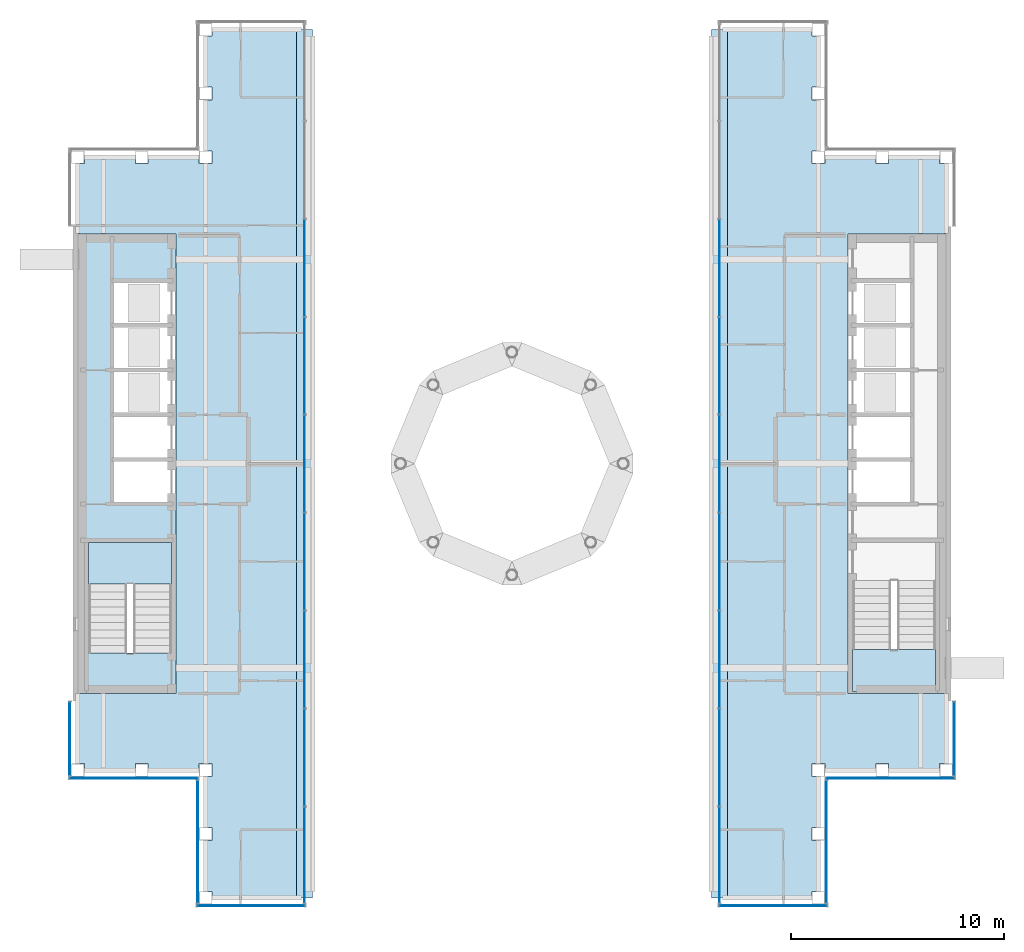
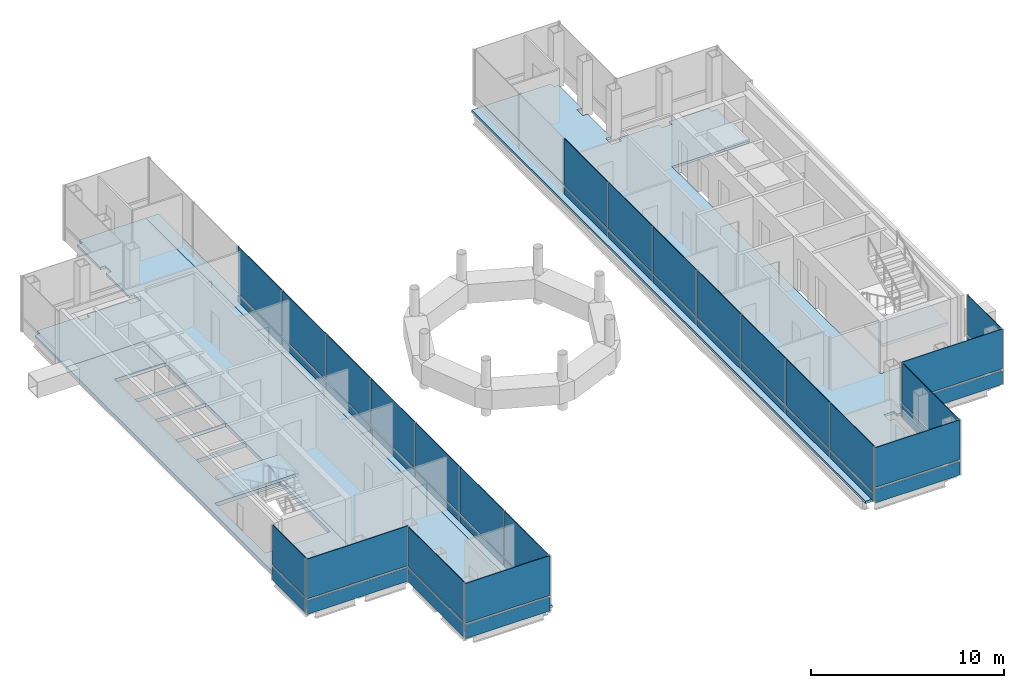
# One storey, part 15 of 21: 44 plates, 7 slabs, 12 elements without a shape of their own.
"""IFC4 building model written with IfcOpenShell, lengths in metres."""

from ifc_helpers import new_model, si_unit, direction, frame, origin, origin_2d, place, context, subcontext, project, spatial, polyline, rectangle, outline, extrude, material, layer, layer_set, type_object, element, aggregate, save


model = new_model("IFC4")

# Units and contexts
model_context = context("Model", 3, precision=1e-05, world=origin(), true_north=direction((0.0, 1.0)))
body_context = subcontext(model_context, "Body", "Model", "MODEL_VIEW")
ifc_project = project(units=[si_unit("LENGTHUNIT", "METRE"), si_unit("AREAUNIT", "SQUARE_METRE"), si_unit("VOLUMEUNIT", "CUBIC_METRE"), si_unit("PLANEANGLEUNIT", "RADIAN"), si_unit("MASSUNIT", "GRAM", prefix="KILO")], contexts=[model_context])

# Site, building, storey
site_placement = place(None, origin())
site = spatial("IfcSite", under=ifc_project, at=site_placement, CompositionType="ELEMENT")
building_placement = place(site_placement, origin())
building = spatial("IfcBuilding", under=site, at=building_placement, Name="Cobrizo Arcos Hotel Tower", CompositionType="ELEMENT")
storey_placement = place(building_placement, frame((0.0, 0.0, 279.5)))
storey = spatial("IfcBuildingStorey", under=building, at=storey_placement, Name="L74", CompositionType="ELEMENT", Elevation=279.5)

# Curtain wall, plate
ifc_material_1 = material(Name="Aluminium 6063-T6 anodised bronze", Category="aluminium")
curtain_wall_type_1 = type_object("IfcCurtainWallType", Name="CW-A guest facade", PredefinedType="NOTDEFINED", material=ifc_material_1)
curtain_wall_1_placement = place(storey_placement, origin())
curtain_wall_1 = element("IfcCurtainWall", 1, at=curtain_wall_1_placement, inside=storey, type_object=curtain_wall_type_1, Name="CW-A L74 S face", PredefinedType="NOTDEFINED")
ifc_material_2 = material(Name="Glass clear laminated low-e", Category="glass")
ifc_layer_1 = layer(ifc_material_2, 0.0400390625)
ifc_layer_set_1 = layer_set([ifc_layer_1], Name="CW-A glass panel")
plate_type_1 = type_object("IfcPlateType", Name="CW-A glass panel", PredefinedType="CURTAIN_PANEL", material=ifc_layer_set_1)
plate_1_placement = place(storey_placement, frame((12.263916015625, -20.77490234375, 0.990234375), z_axis=(0.0, 0.0, 1.0), x_axis=(1.0, 0.0, 0.0)))
plate_1 = element("IfcPlate", 2, at=plate_1_placement, type_object=plate_type_1, Name="CW-A glass panel 2334", PredefinedType="CURTAIN_PANEL", context=body_context, shape_type="SweptSolid", body=[
    extrude(rectangle(XDim=5.05224609375, YDim=0.0400390625, at=origin_2d()), origin(), (0.0, 0.0, 1.0), 2.510009765625),
])

curtain_wall_2_placement = place(storey_placement, origin())
curtain_wall_2 = element("IfcCurtainWall", 3, at=curtain_wall_2_placement, inside=storey, type_object=curtain_wall_type_1, Name="CW-A L74 E face", PredefinedType="NOTDEFINED")
plate_2_placement = place(storey_placement, frame((14.77490234375, -17.77490234375, 0.990234375), z_axis=(0.0, 0.0, 1.0), x_axis=(0.0, 1.0, 0.0)))
plate_2 = element("IfcPlate", 4, at=plate_2_placement, type_object=plate_type_1, Name="CW-A glass panel 2335", PredefinedType="CURTAIN_PANEL", context=body_context, shape_type="SweptSolid", body=[
    extrude(rectangle(XDim=5.72998046875, YDim=0.0400390625, at=origin_2d()), origin(), (0.0, 0.0, 1.0), 2.510009765625),
])

curtain_wall_3_placement = place(storey_placement, origin())
curtain_wall_3 = element("IfcCurtainWall", 5, at=curtain_wall_3_placement, inside=storey, type_object=curtain_wall_type_1, Name="CW-A L74 S face", PredefinedType="NOTDEFINED")
plate_3_placement = place(storey_placement, frame((17.77490234375, -14.77490234375, 0.990234375), z_axis=(0.0, 0.0, 1.0), x_axis=(1.0, 0.0, 0.0)))
plate_3 = element("IfcPlate", 6, at=plate_3_placement, type_object=plate_type_1, Name="CW-A glass panel 2336", PredefinedType="CURTAIN_PANEL", context=body_context, shape_type="SweptSolid", body=[
    extrude(rectangle(XDim=6.030029296875, YDim=0.0400390625, at=origin_2d()), origin(), (0.0, 0.0, 1.0), 2.510009765625),
])

curtain_wall_4_placement = place(storey_placement, origin())
curtain_wall_4 = element("IfcCurtainWall", 7, at=curtain_wall_4_placement, inside=storey, type_object=curtain_wall_type_1, Name="CW-A L74 E face", PredefinedType="NOTDEFINED")
plate_4_placement = place(storey_placement, frame((20.77490234375, -12.925048828125, 0.990234375), z_axis=(0.0, 0.0, 1.0), x_axis=(0.0, 1.0, 0.0)))
plate_4 = element("IfcPlate", 8, at=plate_4_placement, type_object=plate_type_1, Name="CW-A glass panel 2337", PredefinedType="CURTAIN_PANEL", context=body_context, shape_type="SweptSolid", body=[
    extrude(rectangle(XDim=3.429931640625, YDim=0.0400390625, at=origin_2d()), origin(), (0.0, 0.0, 1.0), 2.510009765625),
])

curtain_wall_5_placement = place(storey_placement, origin())
curtain_wall_5 = element("IfcCurtainWall", 9, at=curtain_wall_5_placement, inside=storey, type_object=curtain_wall_type_1, Name="CW-A L74 S face", PredefinedType="NOTDEFINED")
plate_5_placement = place(storey_placement, frame((-12.263916015625, -20.77490234375, 0.990234375), z_axis=(0.0, 0.0, 1.0), x_axis=(1.0, 0.0, 0.0)))
plate_5 = element("IfcPlate", 10, at=plate_5_placement, type_object=plate_type_1, Name="CW-A glass panel 2341", PredefinedType="CURTAIN_PANEL", context=body_context, shape_type="SweptSolid", body=[
    extrude(rectangle(XDim=5.05224609375, YDim=0.0400390625, at=origin_2d()), origin(), (0.0, 0.0, 1.0), 2.510009765625),
])

curtain_wall_6_placement = place(storey_placement, origin())
curtain_wall_6 = element("IfcCurtainWall", 11, at=curtain_wall_6_placement, inside=storey, type_object=curtain_wall_type_1, Name="CW-A L74 W face", PredefinedType="NOTDEFINED")
plate_6_placement = place(storey_placement, frame((-20.77490234375, -12.925048828125, 0.990234375), z_axis=(0.0, 0.0, 1.0), x_axis=(0.0, -1.0, 0.0)))
plate_6 = element("IfcPlate", 12, at=plate_6_placement, type_object=plate_type_1, Name="CW-A glass panel 2355", PredefinedType="CURTAIN_PANEL", context=body_context, shape_type="SweptSolid", body=[
    extrude(rectangle(XDim=3.429931640625, YDim=0.0400390625, at=origin_2d()), origin(), (0.0, 0.0, 1.0), 2.510009765625),
])

curtain_wall_7_placement = place(storey_placement, origin())
curtain_wall_7 = element("IfcCurtainWall", 13, at=curtain_wall_7_placement, inside=storey, type_object=curtain_wall_type_1, Name="CW-A L74 S face", PredefinedType="NOTDEFINED")
plate_7_placement = place(storey_placement, frame((-17.77490234375, -14.77490234375, 0.990234375), z_axis=(0.0, 0.0, 1.0), x_axis=(1.0, 0.0, 0.0)))
plate_7 = element("IfcPlate", 14, at=plate_7_placement, type_object=plate_type_1, Name="CW-A glass panel 2356", PredefinedType="CURTAIN_PANEL", context=body_context, shape_type="SweptSolid", body=[
    extrude(rectangle(XDim=6.030029296875, YDim=0.0400390625, at=origin_2d()), origin(), (0.0, 0.0, 1.0), 2.510009765625),
])

curtain_wall_8_placement = place(storey_placement, origin())
curtain_wall_8 = element("IfcCurtainWall", 15, at=curtain_wall_8_placement, inside=storey, type_object=curtain_wall_type_1, Name="CW-A L74 W face", PredefinedType="NOTDEFINED")
plate_8_placement = place(storey_placement, frame((-14.77490234375, -17.77490234375, 0.990234375), z_axis=(0.0, 0.0, 1.0), x_axis=(0.0, -1.0, 0.0)))
plate_8 = element("IfcPlate", 16, at=plate_8_placement, type_object=plate_type_1, Name="CW-A glass panel 2357", PredefinedType="CURTAIN_PANEL", context=body_context, shape_type="SweptSolid", body=[
    extrude(rectangle(XDim=5.72998046875, YDim=0.0400390625, at=origin_2d()), origin(), (0.0, 0.0, 1.0), 2.510009765625),
])

# Plate
ifc_material_3 = material(Name="Aluminium composite panel pale metal", Category="aluminium")
ifc_layer_2 = layer(ifc_material_3, 0.0400390625)
ifc_layer_set_2 = layer_set([ifc_layer_2], Name="CW-A spandrel panel")
plate_type_2 = type_object("IfcPlateType", Name="CW-A spandrel panel", PredefinedType="CURTAIN_PANEL", material=ifc_layer_set_2)
plate_9_placement = place(storey_placement, frame((12.263916015625, -20.77490234375, 0.0), z_axis=(0.0, 0.0, 1.0), x_axis=(1.0, 0.0, 0.0)))
plate_9 = element("IfcPlate", 17, at=plate_9_placement, type_object=plate_type_2, Name="CW-A spandrel panel 2334", PredefinedType="CURTAIN_PANEL", context=body_context, shape_type="SweptSolid", body=[
    extrude(rectangle(XDim=5.05224609375, YDim=0.0400390625, at=origin_2d()), origin(), (0.0, 0.0, 1.0), 0.8701171875),
])

aggregate(curtain_wall_1, [plate_9, plate_1])

plate_10_placement = place(storey_placement, frame((14.77490234375, -17.77490234375, 0.0), z_axis=(0.0, 0.0, 1.0), x_axis=(0.0, 1.0, 0.0)))
plate_10 = element("IfcPlate", 18, at=plate_10_placement, type_object=plate_type_2, Name="CW-A spandrel panel 2335", PredefinedType="CURTAIN_PANEL", context=body_context, shape_type="SweptSolid", body=[
    extrude(rectangle(XDim=5.72998046875, YDim=0.0400390625, at=origin_2d()), origin(), (0.0, 0.0, 1.0), 0.8701171875),
])

aggregate(curtain_wall_2, [plate_10, plate_2])

plate_11_placement = place(storey_placement, frame((17.77490234375, -14.77490234375, 0.0), z_axis=(0.0, 0.0, 1.0), x_axis=(1.0, 0.0, 0.0)))
plate_11 = element("IfcPlate", 19, at=plate_11_placement, type_object=plate_type_2, Name="CW-A spandrel panel 2336", PredefinedType="CURTAIN_PANEL", context=body_context, shape_type="SweptSolid", body=[
    extrude(rectangle(XDim=6.030029296875, YDim=0.0400390625, at=origin_2d()), origin(), (0.0, 0.0, 1.0), 0.8701171875),
])

aggregate(curtain_wall_3, [plate_11, plate_3])

plate_12_placement = place(storey_placement, frame((20.77490234375, -12.925048828125, 0.0), z_axis=(0.0, 0.0, 1.0), x_axis=(0.0, 1.0, 0.0)))
plate_12 = element("IfcPlate", 20, at=plate_12_placement, type_object=plate_type_2, Name="CW-A spandrel panel 2337", PredefinedType="CURTAIN_PANEL", context=body_context, shape_type="SweptSolid", body=[
    extrude(rectangle(XDim=3.429931640625, YDim=0.0400390625, at=origin_2d()), origin(), (0.0, 0.0, 1.0), 0.8701171875),
])

aggregate(curtain_wall_4, [plate_12, plate_4])

plate_13_placement = place(storey_placement, frame((-12.263916015625, -20.77490234375, 0.0), z_axis=(0.0, 0.0, 1.0), x_axis=(1.0, 0.0, 0.0)))
plate_13 = element("IfcPlate", 21, at=plate_13_placement, type_object=plate_type_2, Name="CW-A spandrel panel 2341", PredefinedType="CURTAIN_PANEL", context=body_context, shape_type="SweptSolid", body=[
    extrude(rectangle(XDim=5.05224609375, YDim=0.0400390625, at=origin_2d()), origin(), (0.0, 0.0, 1.0), 0.8701171875),
])

aggregate(curtain_wall_5, [plate_13, plate_5])

plate_14_placement = place(storey_placement, frame((-20.77490234375, -12.925048828125, 0.0), z_axis=(0.0, 0.0, 1.0), x_axis=(0.0, -1.0, 0.0)))
plate_14 = element("IfcPlate", 22, at=plate_14_placement, type_object=plate_type_2, Name="CW-A spandrel panel 2355", PredefinedType="CURTAIN_PANEL", context=body_context, shape_type="SweptSolid", body=[
    extrude(rectangle(XDim=3.429931640625, YDim=0.0400390625, at=origin_2d()), origin(), (0.0, 0.0, 1.0), 0.8701171875),
])

aggregate(curtain_wall_6, [plate_14, plate_6])

plate_15_placement = place(storey_placement, frame((-17.77490234375, -14.77490234375, 0.0), z_axis=(0.0, 0.0, 1.0), x_axis=(1.0, 0.0, 0.0)))
plate_15 = element("IfcPlate", 23, at=plate_15_placement, type_object=plate_type_2, Name="CW-A spandrel panel 2356", PredefinedType="CURTAIN_PANEL", context=body_context, shape_type="SweptSolid", body=[
    extrude(rectangle(XDim=6.030029296875, YDim=0.0400390625, at=origin_2d()), origin(), (0.0, 0.0, 1.0), 0.8701171875),
])

aggregate(curtain_wall_7, [plate_15, plate_7])

plate_16_placement = place(storey_placement, frame((-14.77490234375, -17.77490234375, 0.0), z_axis=(0.0, 0.0, 1.0), x_axis=(0.0, -1.0, 0.0)))
plate_16 = element("IfcPlate", 24, at=plate_16_placement, type_object=plate_type_2, Name="CW-A spandrel panel 2357", PredefinedType="CURTAIN_PANEL", context=body_context, shape_type="SweptSolid", body=[
    extrude(rectangle(XDim=5.72998046875, YDim=0.0400390625, at=origin_2d()), origin(), (0.0, 0.0, 1.0), 0.8701171875),
])

aggregate(curtain_wall_8, [plate_16, plate_8])

# Curtain wall, plates
curtain_wall_type_2 = type_object("IfcCurtainWallType", Name="CW-C arch infill and crown glazing", PredefinedType="NOTDEFINED", material=ifc_material_1)
curtain_wall_9_placement = place(storey_placement, origin())
curtain_wall_9 = element("IfcCurtainWall", 25, at=curtain_wall_9_placement, inside=storey, type_object=curtain_wall_type_2, Name="CW-C L74 W face", PredefinedType="NOTDEFINED")
ifc_layer_3 = layer(ifc_material_2, 0.0400390625)
ifc_layer_set_3 = layer_set([ifc_layer_3], Name="CW-C glass panel")
plate_type_3 = type_object("IfcPlateType", Name="CW-C glass panel", PredefinedType="CURTAIN_PANEL", material=ifc_layer_set_3)
plate_17_placement = place(storey_placement, frame((9.7529296875, 9.199951171875, 0.0), z_axis=(0.0, 0.0, 1.0), x_axis=(0.0, -1.0, 0.0)))
plate_17 = element("IfcPlate", 26, at=plate_17_placement, type_object=plate_type_3, Name="CW-C glass panel 2327", PredefinedType="CURTAIN_PANEL", context=body_context, shape_type="SweptSolid", body=[
    extrude(rectangle(XDim=4.530029296875, YDim=0.0400390625, at=origin_2d()), origin(), (0.0, 0.0, 1.0), 0.429931640625),
])
plate_18_placement = place(storey_placement, frame((9.7529296875, 9.199951171875, 0.56982421875), z_axis=(0.0, 0.0, 1.0), x_axis=(0.0, -1.0, 0.0)))
plate_18 = element("IfcPlate", 27, at=plate_18_placement, type_object=plate_type_3, Name="CW-C glass panel 2327", PredefinedType="CURTAIN_PANEL", context=body_context, shape_type="SweptSolid", body=[
    extrude(rectangle(XDim=4.530029296875, YDim=0.0400390625, at=origin_2d()), origin(), (0.0, 0.0, 1.0), 2.929931640625),
])
plate_19_placement = place(storey_placement, frame((9.7529296875, 4.60009765625, 0.0), z_axis=(0.0, 0.0, 1.0), x_axis=(0.0, -1.0, 0.0)))
plate_19 = element("IfcPlate", 28, at=plate_19_placement, type_object=plate_type_3, Name="CW-C glass panel 2328", PredefinedType="CURTAIN_PANEL", context=body_context, shape_type="SweptSolid", body=[
    extrude(rectangle(XDim=4.530029296875, YDim=0.0400390625, at=origin_2d()), origin(), (0.0, 0.0, 1.0), 0.429931640625),
])
plate_20_placement = place(storey_placement, frame((9.7529296875, 4.60009765625, 0.56982421875), z_axis=(0.0, 0.0, 1.0), x_axis=(0.0, -1.0, 0.0)))
plate_20 = element("IfcPlate", 29, at=plate_20_placement, type_object=plate_type_3, Name="CW-C glass panel 2328", PredefinedType="CURTAIN_PANEL", context=body_context, shape_type="SweptSolid", body=[
    extrude(rectangle(XDim=4.530029296875, YDim=0.0400390625, at=origin_2d()), origin(), (0.0, 0.0, 1.0), 2.929931640625),
])
plate_21_placement = place(storey_placement, frame((9.7529296875, 0.0, 0.0), z_axis=(0.0, 0.0, 1.0), x_axis=(0.0, -1.0, 0.0)))
plate_21 = element("IfcPlate", 30, at=plate_21_placement, type_object=plate_type_3, Name="CW-C glass panel 2329", PredefinedType="CURTAIN_PANEL", context=body_context, shape_type="SweptSolid", body=[
    extrude(rectangle(XDim=4.530029296875, YDim=0.0400390625, at=origin_2d()), origin(), (0.0, 0.0, 1.0), 0.429931640625),
])
plate_22_placement = place(storey_placement, frame((9.7529296875, 0.0, 0.56982421875), z_axis=(0.0, 0.0, 1.0), x_axis=(0.0, -1.0, 0.0)))
plate_22 = element("IfcPlate", 31, at=plate_22_placement, type_object=plate_type_3, Name="CW-C glass panel 2329", PredefinedType="CURTAIN_PANEL", context=body_context, shape_type="SweptSolid", body=[
    extrude(rectangle(XDim=4.530029296875, YDim=0.0400390625, at=origin_2d()), origin(), (0.0, 0.0, 1.0), 2.929931640625),
])
plate_23_placement = place(storey_placement, frame((9.7529296875, -4.60009765625, 0.0), z_axis=(0.0, 0.0, 1.0), x_axis=(0.0, -1.0, 0.0)))
plate_23 = element("IfcPlate", 32, at=plate_23_placement, type_object=plate_type_3, Name="CW-C glass panel 2330", PredefinedType="CURTAIN_PANEL", context=body_context, shape_type="SweptSolid", body=[
    extrude(rectangle(XDim=4.530029296875, YDim=0.0400390625, at=origin_2d()), origin(), (0.0, 0.0, 1.0), 0.429931640625),
])
plate_24_placement = place(storey_placement, frame((9.7529296875, -4.60009765625, 0.56982421875), z_axis=(0.0, 0.0, 1.0), x_axis=(0.0, -1.0, 0.0)))
plate_24 = element("IfcPlate", 33, at=plate_24_placement, type_object=plate_type_3, Name="CW-C glass panel 2330", PredefinedType="CURTAIN_PANEL", context=body_context, shape_type="SweptSolid", body=[
    extrude(rectangle(XDim=4.530029296875, YDim=0.0400390625, at=origin_2d()), origin(), (0.0, 0.0, 1.0), 2.929931640625),
])
plate_25_placement = place(storey_placement, frame((9.7529296875, -9.199951171875, 0.0), z_axis=(0.0, 0.0, 1.0), x_axis=(0.0, -1.0, 0.0)))
plate_25 = element("IfcPlate", 34, at=plate_25_placement, type_object=plate_type_3, Name="CW-C glass panel 2331", PredefinedType="CURTAIN_PANEL", context=body_context, shape_type="SweptSolid", body=[
    extrude(rectangle(XDim=4.530029296875, YDim=0.0400390625, at=origin_2d()), origin(), (0.0, 0.0, 1.0), 0.429931640625),
])
plate_26_placement = place(storey_placement, frame((9.7529296875, -9.199951171875, 0.56982421875), z_axis=(0.0, 0.0, 1.0), x_axis=(0.0, -1.0, 0.0)))
plate_26 = element("IfcPlate", 35, at=plate_26_placement, type_object=plate_type_3, Name="CW-C glass panel 2331", PredefinedType="CURTAIN_PANEL", context=body_context, shape_type="SweptSolid", body=[
    extrude(rectangle(XDim=4.530029296875, YDim=0.0400390625, at=origin_2d()), origin(), (0.0, 0.0, 1.0), 2.929931640625),
])
plate_27_placement = place(storey_placement, frame((9.7529296875, -13.800048828125, 0.0), z_axis=(0.0, 0.0, 1.0), x_axis=(0.0, -1.0, 0.0)))
plate_27 = element("IfcPlate", 36, at=plate_27_placement, type_object=plate_type_3, Name="CW-C glass panel 2332", PredefinedType="CURTAIN_PANEL", context=body_context, shape_type="SweptSolid", body=[
    extrude(rectangle(XDim=4.530029296875, YDim=0.0400390625, at=origin_2d()), origin(), (0.0, 0.0, 1.0), 0.429931640625),
])
plate_28_placement = place(storey_placement, frame((9.7529296875, -13.800048828125, 0.56982421875), z_axis=(0.0, 0.0, 1.0), x_axis=(0.0, -1.0, 0.0)))
plate_28 = element("IfcPlate", 37, at=plate_28_placement, type_object=plate_type_3, Name="CW-C glass panel 2332", PredefinedType="CURTAIN_PANEL", context=body_context, shape_type="SweptSolid", body=[
    extrude(rectangle(XDim=4.530029296875, YDim=0.0400390625, at=origin_2d()), origin(), (0.0, 0.0, 1.0), 2.929931640625),
])
plate_29_placement = place(storey_placement, frame((9.7529296875, -18.382568359375, 0.0), z_axis=(0.0, 0.0, 1.0), x_axis=(0.0, -1.0, 0.0)))
plate_29 = element("IfcPlate", 38, at=plate_29_placement, type_object=plate_type_3, Name="CW-C glass panel 2333", PredefinedType="CURTAIN_PANEL", context=body_context, shape_type="SweptSolid", body=[
    extrude(rectangle(XDim=4.4951171875, YDim=0.0400390625, at=origin_2d()), origin(), (0.0, 0.0, 1.0), 0.429931640625),
])
plate_30_placement = place(storey_placement, frame((9.7529296875, -18.382568359375, 0.56982421875), z_axis=(0.0, 0.0, 1.0), x_axis=(0.0, -1.0, 0.0)))
plate_30 = element("IfcPlate", 39, at=plate_30_placement, type_object=plate_type_3, Name="CW-C glass panel 2333", PredefinedType="CURTAIN_PANEL", context=body_context, shape_type="SweptSolid", body=[
    extrude(rectangle(XDim=4.4951171875, YDim=0.0400390625, at=origin_2d()), origin(), (0.0, 0.0, 1.0), 2.929931640625),
])
aggregate(curtain_wall_9, [plate_17, plate_18, plate_19, plate_20, plate_21, plate_22, plate_23, plate_24, plate_25, plate_26, plate_27, plate_28, plate_29, plate_30])

curtain_wall_10_placement = place(storey_placement, origin())
curtain_wall_10 = element("IfcCurtainWall", 40, at=curtain_wall_10_placement, inside=storey, type_object=curtain_wall_type_2, Name="CW-C L74 E face", PredefinedType="NOTDEFINED")
plate_31_placement = place(storey_placement, frame((-9.7529296875, -18.382568359375, 0.0), z_axis=(0.0, 0.0, 1.0), x_axis=(0.0, 1.0, 0.0)))
plate_31 = element("IfcPlate", 41, at=plate_31_placement, type_object=plate_type_3, Name="CW-C glass panel 2342", PredefinedType="CURTAIN_PANEL", context=body_context, shape_type="SweptSolid", body=[
    extrude(rectangle(XDim=4.4951171875, YDim=0.0400390625, at=origin_2d()), origin(), (0.0, 0.0, 1.0), 0.429931640625),
])
plate_32_placement = place(storey_placement, frame((-9.7529296875, -18.382568359375, 0.56982421875), z_axis=(0.0, 0.0, 1.0), x_axis=(0.0, 1.0, 0.0)))
plate_32 = element("IfcPlate", 42, at=plate_32_placement, type_object=plate_type_3, Name="CW-C glass panel 2342", PredefinedType="CURTAIN_PANEL", context=body_context, shape_type="SweptSolid", body=[
    extrude(rectangle(XDim=4.4951171875, YDim=0.0400390625, at=origin_2d()), origin(), (0.0, 0.0, 1.0), 2.929931640625),
])
plate_33_placement = place(storey_placement, frame((-9.7529296875, -13.800048828125, 0.0), z_axis=(0.0, 0.0, 1.0), x_axis=(0.0, 1.0, 0.0)))
plate_33 = element("IfcPlate", 43, at=plate_33_placement, type_object=plate_type_3, Name="CW-C glass panel 2343", PredefinedType="CURTAIN_PANEL", context=body_context, shape_type="SweptSolid", body=[
    extrude(rectangle(XDim=4.530029296875, YDim=0.0400390625, at=origin_2d()), origin(), (0.0, 0.0, 1.0), 0.429931640625),
])
plate_34_placement = place(storey_placement, frame((-9.7529296875, -13.800048828125, 0.56982421875), z_axis=(0.0, 0.0, 1.0), x_axis=(0.0, 1.0, 0.0)))
plate_34 = element("IfcPlate", 44, at=plate_34_placement, type_object=plate_type_3, Name="CW-C glass panel 2343", PredefinedType="CURTAIN_PANEL", context=body_context, shape_type="SweptSolid", body=[
    extrude(rectangle(XDim=4.530029296875, YDim=0.0400390625, at=origin_2d()), origin(), (0.0, 0.0, 1.0), 2.929931640625),
])
plate_35_placement = place(storey_placement, frame((-9.7529296875, -9.199951171875, 0.0), z_axis=(0.0, 0.0, 1.0), x_axis=(0.0, 1.0, 0.0)))
plate_35 = element("IfcPlate", 45, at=plate_35_placement, type_object=plate_type_3, Name="CW-C glass panel 2344", PredefinedType="CURTAIN_PANEL", context=body_context, shape_type="SweptSolid", body=[
    extrude(rectangle(XDim=4.530029296875, YDim=0.0400390625, at=origin_2d()), origin(), (0.0, 0.0, 1.0), 0.429931640625),
])
plate_36_placement = place(storey_placement, frame((-9.7529296875, -9.199951171875, 0.56982421875), z_axis=(0.0, 0.0, 1.0), x_axis=(0.0, 1.0, 0.0)))
plate_36 = element("IfcPlate", 46, at=plate_36_placement, type_object=plate_type_3, Name="CW-C glass panel 2344", PredefinedType="CURTAIN_PANEL", context=body_context, shape_type="SweptSolid", body=[
    extrude(rectangle(XDim=4.530029296875, YDim=0.0400390625, at=origin_2d()), origin(), (0.0, 0.0, 1.0), 2.929931640625),
])
plate_37_placement = place(storey_placement, frame((-9.7529296875, -4.60009765625, 0.0), z_axis=(0.0, 0.0, 1.0), x_axis=(0.0, 1.0, 0.0)))
plate_37 = element("IfcPlate", 47, at=plate_37_placement, type_object=plate_type_3, Name="CW-C glass panel 2345", PredefinedType="CURTAIN_PANEL", context=body_context, shape_type="SweptSolid", body=[
    extrude(rectangle(XDim=4.530029296875, YDim=0.0400390625, at=origin_2d()), origin(), (0.0, 0.0, 1.0), 0.429931640625),
])
plate_38_placement = place(storey_placement, frame((-9.7529296875, -4.60009765625, 0.56982421875), z_axis=(0.0, 0.0, 1.0), x_axis=(0.0, 1.0, 0.0)))
plate_38 = element("IfcPlate", 48, at=plate_38_placement, type_object=plate_type_3, Name="CW-C glass panel 2345", PredefinedType="CURTAIN_PANEL", context=body_context, shape_type="SweptSolid", body=[
    extrude(rectangle(XDim=4.530029296875, YDim=0.0400390625, at=origin_2d()), origin(), (0.0, 0.0, 1.0), 2.929931640625),
])
plate_39_placement = place(storey_placement, frame((-9.7529296875, 0.0, 0.0), z_axis=(0.0, 0.0, 1.0), x_axis=(0.0, 1.0, 0.0)))
plate_39 = element("IfcPlate", 49, at=plate_39_placement, type_object=plate_type_3, Name="CW-C glass panel 2346", PredefinedType="CURTAIN_PANEL", context=body_context, shape_type="SweptSolid", body=[
    extrude(rectangle(XDim=4.530029296875, YDim=0.0400390625, at=origin_2d()), origin(), (0.0, 0.0, 1.0), 0.429931640625),
])
plate_40_placement = place(storey_placement, frame((-9.7529296875, 0.0, 0.56982421875), z_axis=(0.0, 0.0, 1.0), x_axis=(0.0, 1.0, 0.0)))
plate_40 = element("IfcPlate", 50, at=plate_40_placement, type_object=plate_type_3, Name="CW-C glass panel 2346", PredefinedType="CURTAIN_PANEL", context=body_context, shape_type="SweptSolid", body=[
    extrude(rectangle(XDim=4.530029296875, YDim=0.0400390625, at=origin_2d()), origin(), (0.0, 0.0, 1.0), 2.929931640625),
])
plate_41_placement = place(storey_placement, frame((-9.7529296875, 4.60009765625, 0.0), z_axis=(0.0, 0.0, 1.0), x_axis=(0.0, 1.0, 0.0)))
plate_41 = element("IfcPlate", 51, at=plate_41_placement, type_object=plate_type_3, Name="CW-C glass panel 2347", PredefinedType="CURTAIN_PANEL", context=body_context, shape_type="SweptSolid", body=[
    extrude(rectangle(XDim=4.530029296875, YDim=0.0400390625, at=origin_2d()), origin(), (0.0, 0.0, 1.0), 0.429931640625),
])
plate_42_placement = place(storey_placement, frame((-9.7529296875, 4.60009765625, 0.56982421875), z_axis=(0.0, 0.0, 1.0), x_axis=(0.0, 1.0, 0.0)))
plate_42 = element("IfcPlate", 52, at=plate_42_placement, type_object=plate_type_3, Name="CW-C glass panel 2347", PredefinedType="CURTAIN_PANEL", context=body_context, shape_type="SweptSolid", body=[
    extrude(rectangle(XDim=4.530029296875, YDim=0.0400390625, at=origin_2d()), origin(), (0.0, 0.0, 1.0), 2.929931640625),
])
plate_43_placement = place(storey_placement, frame((-9.7529296875, 9.199951171875, 0.0), z_axis=(0.0, 0.0, 1.0), x_axis=(0.0, 1.0, 0.0)))
plate_43 = element("IfcPlate", 53, at=plate_43_placement, type_object=plate_type_3, Name="CW-C glass panel 2348", PredefinedType="CURTAIN_PANEL", context=body_context, shape_type="SweptSolid", body=[
    extrude(rectangle(XDim=4.530029296875, YDim=0.0400390625, at=origin_2d()), origin(), (0.0, 0.0, 1.0), 0.429931640625),
])
plate_44_placement = place(storey_placement, frame((-9.7529296875, 9.199951171875, 0.56982421875), z_axis=(0.0, 0.0, 1.0), x_axis=(0.0, 1.0, 0.0)))
plate_44 = element("IfcPlate", 54, at=plate_44_placement, type_object=plate_type_3, Name="CW-C glass panel 2348", PredefinedType="CURTAIN_PANEL", context=body_context, shape_type="SweptSolid", body=[
    extrude(rectangle(XDim=4.530029296875, YDim=0.0400390625, at=origin_2d()), origin(), (0.0, 0.0, 1.0), 2.929931640625),
])
aggregate(curtain_wall_10, [plate_31, plate_32, plate_33, plate_34, plate_35, plate_36, plate_37, plate_38, plate_39, plate_40, plate_41, plate_42, plate_43, plate_44])

# Slabs
ifc_material_4 = material(Name="Concrete f'c 35 MPa", Category="concrete")
ifc_layer_4 = layer(ifc_material_4, 0.14990234375)
ifc_layer_set_4 = layer_set([ifc_layer_4], Name="Composite floor slab 150 f'c 35")
slab_type_1 = type_object("IfcSlabType", Name="Composite floor slab 150 f'c 35", PredefinedType="FLOOR", material=ifc_layer_set_4)
slab_1_placement = place(storey_placement, frame((0.0, 0.0, -0.14990234375)))
element("IfcSlab", 55, at=slab_1_placement, inside=storey, type_object=slab_type_1, Name="Floor slab S5, L74, no. 01", PredefinedType="FLOOR", context=body_context, shape_type="SweptSolid", body=[
    extrude(outline(polyline([(-14.39990234375, -17.699951171875), (-14.10009765625, -17.699951171875), (-14.10009765625, -17.10009765625), (-14.39990234375, -17.10009765625), (-14.39990234375, -14.699951171875), (-14.10009765625, -14.699951171875), (-14.10009765625, -14.10009765625), (-14.699951171875, -14.10009765625), (-14.699951171875, -14.39990234375), (-17.10009765625, -14.39990234375), (-17.10009765625, -14.10009765625), (-17.699951171875, -14.10009765625), (-17.699951171875, -14.39990234375), (-20.10009765625, -14.39990234375), (-20.10009765625, -14.10009765625), (-20.39990234375, -14.10009765625), (-20.39990234375, -10.800048828125), (-15.800048828125, -10.800048828125), (-15.800048828125, 10.800048828125), (-20.39990234375, 10.800048828125), (-20.39990234375, 14.10009765625), (-20.10009765625, 14.10009765625), (-20.10009765625, 14.39990234375), (-17.699951171875, 14.39990234375), (-17.699951171875, 14.10009765625), (-17.10009765625, 14.10009765625), (-17.10009765625, 14.39990234375), (-14.699951171875, 14.39990234375), (-14.699951171875, 14.10009765625), (-14.10009765625, 14.10009765625), (-14.10009765625, 14.699951171875), (-14.39990234375, 14.699951171875), (-14.39990234375, 17.10009765625), (-14.10009765625, 17.10009765625), (-14.10009765625, 17.699951171875), (-14.39990234375, 17.699951171875), (-14.39990234375, 20.10009765625), (-14.10009765625, 20.10009765625), (-14.10009765625, 20.39990234375), (-10.1279296875, 20.39990234375), (-10.1279296875, -20.39990234375), (-14.10009765625, -20.39990234375), (-14.10009765625, -20.10009765625), (-14.39990234375, -20.10009765625), (-14.39990234375, -17.699951171875)])), origin(), (0.0, 0.0, 1.0), 0.14990234375),
])
slab_2_placement = place(storey_placement, frame((0.0, 0.0, -0.14990234375)))
element("IfcSlab", 56, at=slab_2_placement, inside=storey, type_object=slab_type_1, Name="Floor slab S5, L74, no. 02", PredefinedType="FLOOR", context=body_context, shape_type="SweptSolid", body=[
    extrude(outline(polyline([(14.39990234375, 17.699951171875), (14.10009765625, 17.699951171875), (14.10009765625, 17.10009765625), (14.39990234375, 17.10009765625), (14.39990234375, 14.699951171875), (14.10009765625, 14.699951171875), (14.10009765625, 14.10009765625), (14.699951171875, 14.10009765625), (14.699951171875, 14.39990234375), (17.10009765625, 14.39990234375), (17.10009765625, 14.10009765625), (17.699951171875, 14.10009765625), (17.699951171875, 14.39990234375), (20.10009765625, 14.39990234375), (20.10009765625, 14.10009765625), (20.39990234375, 14.10009765625), (20.39990234375, 10.800048828125), (15.800048828125, 10.800048828125), (15.800048828125, -10.800048828125), (20.39990234375, -10.800048828125), (20.39990234375, -14.10009765625), (20.10009765625, -14.10009765625), (20.10009765625, -14.39990234375), (17.699951171875, -14.39990234375), (17.699951171875, -14.10009765625), (17.10009765625, -14.10009765625), (17.10009765625, -14.39990234375), (14.699951171875, -14.39990234375), (14.699951171875, -14.10009765625), (14.10009765625, -14.10009765625), (14.10009765625, -14.699951171875), (14.39990234375, -14.699951171875), (14.39990234375, -17.10009765625), (14.10009765625, -17.10009765625), (14.10009765625, -17.699951171875), (14.39990234375, -17.699951171875), (14.39990234375, -20.10009765625), (14.10009765625, -20.10009765625), (14.10009765625, -20.39990234375), (10.1279296875, -20.39990234375), (10.1279296875, 20.39990234375), (14.10009765625, 20.39990234375), (14.10009765625, 20.10009765625), (14.39990234375, 20.10009765625), (14.39990234375, 17.699951171875)])), origin(), (0.0, 0.0, 1.0), 0.14990234375),
])
ifc_material_5 = material(Name="Concrete f'c 40 MPa", Category="concrete")
ifc_layer_5 = layer(ifc_material_5, 0.25)
ifc_layer_set_5 = layer_set([ifc_layer_5], Name="RC core floor slab 250 f'c 40")
slab_type_2 = type_object("IfcSlabType", Name="RC core floor slab 250 f'c 40", PredefinedType="FLOOR", material=ifc_layer_set_5)
slab_3_placement = place(storey_placement, frame((0.0, 0.0, -0.25)))
element("IfcSlab", 57, at=slab_3_placement, inside=storey, type_object=slab_type_2, Name="Core floor slab CS7, west core, L74", PredefinedType="FLOOR", context=body_context, shape_type="SweptSolid", body=[
    extrude(outline(polyline([(-20.39990234375, 10.800048828125), (-15.800048828125, 10.800048828125), (-15.800048828125, -10.800048828125), (-20.39990234375, -10.800048828125), (-20.39990234375, 10.800048828125)]), holes=[polyline([(-19.89794921875, -3.701904296875), (-19.89794921875, -8.89794921875), (-16.001953125, -8.89794921875), (-16.001953125, -3.701904296875), (-19.89794921875, -3.701904296875)]), polyline([(-18.798095703125, 0.197998046875), (-18.798095703125, -1.89794921875), (-15.802001953125, -1.89794921875), (-15.802001953125, 0.197998046875), (-18.798095703125, 0.197998046875)]), polyline([(-18.798095703125, 2.298095703125), (-18.798095703125, 0.201904296875), (-15.802001953125, 0.201904296875), (-15.802001953125, 2.298095703125), (-18.798095703125, 2.298095703125)]), polyline([(-18.798095703125, 4.39794921875), (-18.798095703125, 2.302001953125), (-15.802001953125, 2.302001953125), (-15.802001953125, 4.39794921875), (-18.798095703125, 4.39794921875)]), polyline([(-15.802001953125, 6.498046875), (-18.798095703125, 6.498046875), (-18.798095703125, 4.402099609375), (-15.802001953125, 4.402099609375), (-15.802001953125, 6.498046875)]), polyline([(-15.802001953125, 8.597900390625), (-18.798095703125, 8.597900390625), (-18.798095703125, 6.501953125), (-15.802001953125, 6.501953125), (-15.802001953125, 8.597900390625)])]), origin(), (0.0, 0.0, 1.0), 0.25),
])
ifc_layer_6 = layer(ifc_material_4, 0.14990234375)
ifc_layer_set_6 = layer_set([ifc_layer_6], Name="RC roof slab 150 f'c 35")
slab_type_3 = type_object("IfcSlabType", Name="RC roof slab 150 f'c 35", PredefinedType="ROOF", material=ifc_layer_set_6)
slab_4_placement = place(storey_placement, frame((0.0, 0.0, -0.14990234375)))
element("IfcSlab", 58, at=slab_4_placement, inside=storey, type_object=slab_type_3, Name="Roof slab RS5, L74, no. 01", PredefinedType="ROOF", context=body_context, shape_type="SweptSolid", body=[
    extrude(outline(polyline([(-10.1279296875, -20.39990234375), (-10.1279296875, 20.39990234375), (-9.364990234375, 20.39990234375), (-9.364990234375, -20.39990234375), (-10.1279296875, -20.39990234375)])), origin(), (0.0, 0.0, 1.0), 0.14990234375),
])
slab_5_placement = place(storey_placement, frame((0.0, 0.0, -0.14990234375)))
element("IfcSlab", 59, at=slab_5_placement, inside=storey, type_object=slab_type_3, Name="Roof slab RS5, L74, no. 02", PredefinedType="ROOF", context=body_context, shape_type="SweptSolid", body=[
    extrude(outline(polyline([(10.1279296875, 20.39990234375), (10.1279296875, -20.39990234375), (9.364990234375, -20.39990234375), (9.364990234375, 20.39990234375), (10.1279296875, 20.39990234375)])), origin(), (0.0, 0.0, 1.0), 0.14990234375),
])

# Stair, slab
stair_type = type_object("IfcStairType", Name="Exit stair", PredefinedType="HALF_TURN_STAIR", material=ifc_material_5)
stair_1_placement = place(storey_placement, origin())
stair_1 = element("IfcStair", 60, at=stair_1_placement, inside=storey, type_object=stair_type, Name="L74 Exit stair ST-W", PredefinedType="HALF_TURN_STAIR")
ifc_layer_7 = layer(ifc_material_5, 0.199951171875)
ifc_layer_set_7 = layer_set([ifc_layer_7], Name="Stair landing")
slab_type_4 = type_object("IfcSlabType", Name="Stair landing", PredefinedType="LANDING", material=ifc_layer_set_7)
slab_6_placement = place(storey_placement, frame((0.0, 0.0, 1.550048828125)))
slab_6 = element("IfcSlab", 61, at=slab_6_placement, type_object=slab_type_4, Name="ST-W landing 1", PredefinedType="LANDING", context=body_context, shape_type="SweptSolid", body=[
    extrude(outline(polyline([(-16.0, -5.659912109375), (-16.0, -3.699951171875), (-19.89990234375, -3.699951171875), (-19.89990234375, -5.659912109375), (-16.0, -5.659912109375)])), origin(), (0.0, 0.0, 1.0), 0.199951171875),
])
aggregate(stair_1, [slab_6])

stair_2_placement = place(storey_placement, origin())
stair_2 = element("IfcStair", 62, at=stair_2_placement, inside=storey, type_object=stair_type, Name="L74 Exit stair ST-E", PredefinedType="HALF_TURN_STAIR")
slab_7_placement = place(storey_placement, frame((0.0, 0.0, 1.550048828125)))
slab_7 = element("IfcSlab", 63, at=slab_7_placement, type_object=slab_type_4, Name="ST-E landing 1", PredefinedType="LANDING", context=body_context, shape_type="SweptSolid", body=[
    extrude(outline(polyline([(16.0, -8.739990234375), (16.0, -10.699951171875), (19.89990234375, -10.699951171875), (19.89990234375, -8.739990234375), (16.0, -8.739990234375)])), origin(), (0.0, 0.0, 1.0), 0.199951171875),
])
aggregate(stair_2, [slab_7])

save(model, "model.ifc")
